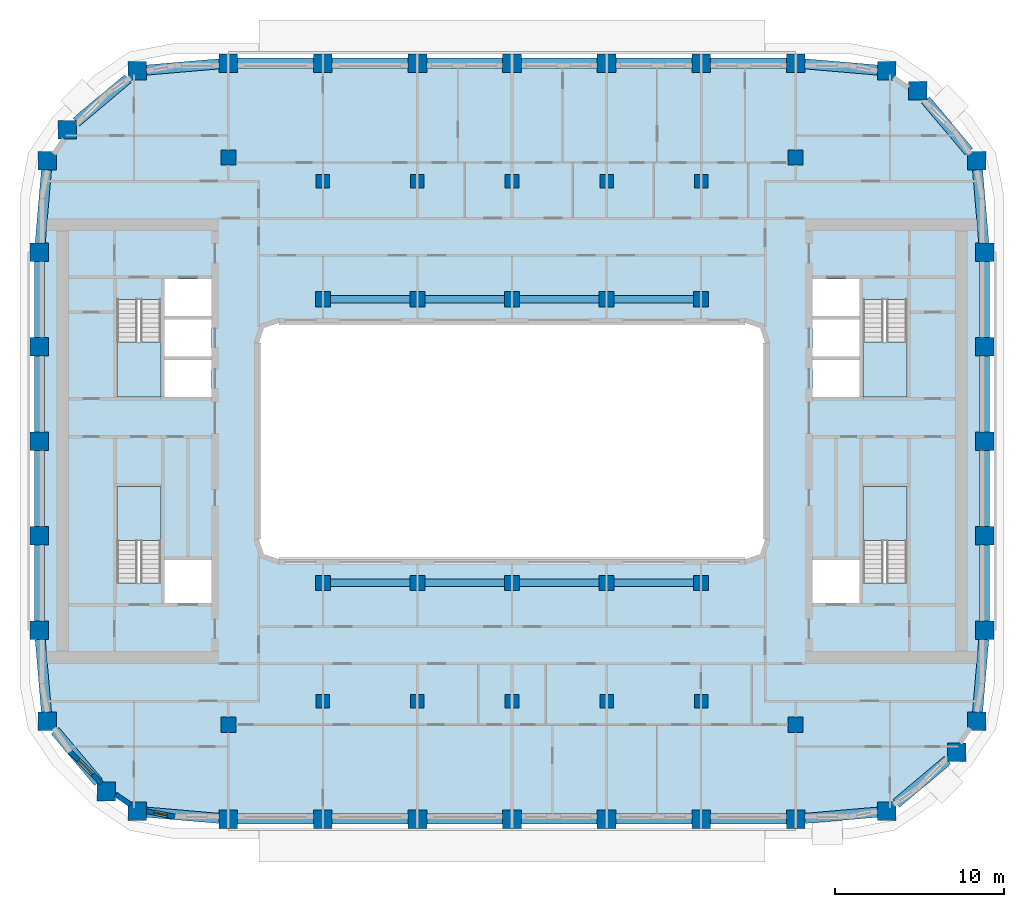
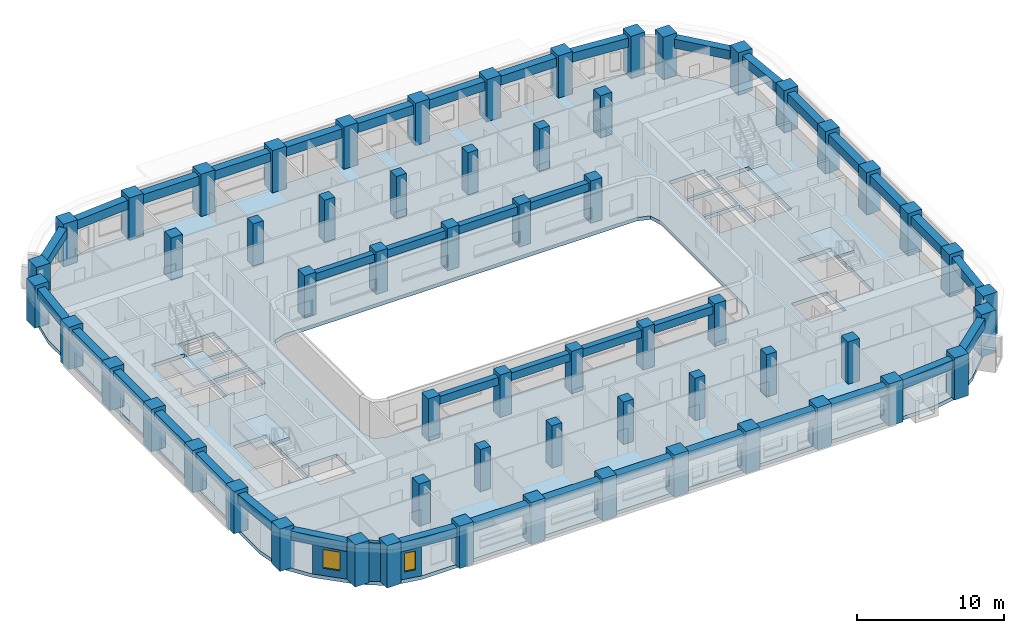
# One storey, part 1 of 22: 60 columns, 40 beams, 5 slabs, 3 walls, 2 windows, 2 openings, 4 elements without a shape of their own.
"""IFC4 building model written with IfcOpenShell, lengths in metres."""

from ifc_helpers import new_model, si_unit, direction, frame, frame_2d, origin, origin_2d, place, context, subcontext, project, spatial, polyline, rectangle, outline, extrude, material, layer, layer_set, material_profile, profile_set, type_object, element, fill, aggregate, save


model = new_model("IFC4")

# Units and contexts
model_context = context("Model", 3, precision=1e-05, world=origin(), true_north=direction((0.0, 1.0)))
body_context = subcontext(model_context, "Body", "Model", "MODEL_VIEW")
ifc_project = project(units=[si_unit("LENGTHUNIT", "METRE"), si_unit("AREAUNIT", "SQUARE_METRE"), si_unit("VOLUMEUNIT", "CUBIC_METRE"), si_unit("PLANEANGLEUNIT", "RADIAN"), si_unit("MASSUNIT", "GRAM", prefix="KILO")], contexts=[model_context])

# Site, building, storey
site_placement = place(None, origin())
site = spatial("IfcSite", under=ifc_project, at=site_placement, CompositionType="ELEMENT")
building_placement = place(site_placement, origin())
building = spatial("IfcBuilding", under=site, at=building_placement, Name="Kiln Ring Residences", CompositionType="ELEMENT")
storey_placement = place(building_placement, frame((0.0, 0.0, 139.60009765625)))
storey = spatial("IfcBuildingStorey", under=building, at=storey_placement, Name="L35", CompositionType="ELEMENT", Elevation=139.60009765625)

# Columns
ifc_material_1 = material(Name="Concrete C70/85", Category="concrete")
ifc_material_profile_1 = material_profile(ifc_material_1, rectangle(XDim=0.800048828125, YDim=0.800048828125, at=origin_2d()), Name="RC800x800")
ifc_profile_set_1 = profile_set([ifc_material_profile_1], Name="Concrete C70/85")
column_type_1 = type_object("IfcColumnType", Name="Corridor column RC800x800 C70/85", PredefinedType="COLUMN", material=ifc_profile_set_1)
for number, where, z_axis, x_axis, name in (
    (1, (-11.199951171875, 15.39990234375, 0.0), (0.0, 0.0, 1.0), (1.0, 0.0, 0.0), "Corridor column L35 1"),
    (2, (-5.60009765625, 15.39990234375, 0.0), (0.0, 0.0, 1.0), (1.0, 0.0, 0.0), "Corridor column L35 2"),
    (3, (0.0, 15.39990234375, 0.0), (0.0, 0.0, 1.0), (1.0, 0.0, 0.0), "Corridor column L35 3"),
    (4, (5.60009765625, 15.39990234375, 0.0), (0.0, 0.0, 1.0), (1.0, 0.0, 0.0), "Corridor column L35 4"),
    (5, (11.199951171875, 15.39990234375, 0.0), (0.0, 0.0, 1.0), (1.0, 0.0, 0.0), "Corridor column L35 5"),
    (6, (-11.199951171875, -15.39990234375, 0.0), (0.0, 0.0, 1.0), (1.0, 0.0, 0.0), "Corridor column L35 6"),
    (7, (-5.60009765625, -15.39990234375, 0.0), (0.0, 0.0, 1.0), (1.0, 0.0, 0.0), "Corridor column L35 7"),
    (8, (0.0, -15.39990234375, 0.0), (0.0, 0.0, 1.0), (1.0, 0.0, 0.0), "Corridor column L35 8"),
    (9, (5.60009765625, -15.39990234375, 0.0), (0.0, 0.0, 1.0), (1.0, 0.0, 0.0), "Corridor column L35 9"),
    (10, (11.199951171875, -15.39990234375, 0.0), (0.0, 0.0, 1.0), (1.0, 0.0, 0.0), "Corridor column L35 10"),
):
    element("IfcColumn", number, at=place(storey_placement, frame(where, z_axis=z_axis, x_axis=x_axis)), inside=storey, type_object=column_type_1, Name=name, PredefinedType="COLUMN", context=body_context, shape_type="SweptSolid", body=[
        extrude(rectangle(XDim=0.800048828125, YDim=0.800048828125, at=origin_2d()), origin(), (0.0, 0.0, 1.0), 3.5),
    ])
ifc_material_2 = material(Name="Concrete C70/85", Category="concrete")
ifc_material_profile_2 = material_profile(ifc_material_2, rectangle(XDim=1.10009765625, YDim=1.10009765625, at=origin_2d()), Name="RC1100x1100")
ifc_profile_set_2 = profile_set([ifc_material_profile_2], Name="Concrete C70/85")
column_type_2 = type_object("IfcColumnType", Name="Perimeter column RC1100x1100 C70/85", PredefinedType="COLUMN", material=ifc_profile_set_2)
for number, where, z_axis, x_axis, name in (
    (11, (-22.208740234375, -21.93798828125, 0.0), (0.0, 0.0, 1.0), (1.0, 0.0, 0.0), "Perimeter column L35 1"),
    (12, (-16.800048828125, -22.39990234375, 0.0), (0.0, 0.0, 1.0), (1.0, 0.0, 0.0), "Perimeter column L35 2"),
    (13, (-11.199951171875, -22.39990234375, 0.0), (0.0, 0.0, 1.0), (1.0, 0.0, 0.0), "Perimeter column L35 3"),
    (14, (-5.60009765625, -22.39990234375, 0.0), (0.0, 0.0, 1.0), (1.0, 0.0, 0.0), "Perimeter column L35 4"),
    (15, (0.0, -22.39990234375, 0.0), (0.0, 0.0, 1.0), (1.0, 0.0, 0.0), "Perimeter column L35 5"),
    (16, (5.60009765625, -22.39990234375, 0.0), (0.0, 0.0, 1.0), (1.0, 0.0, 0.0), "Perimeter column L35 6"),
    (17, (11.199951171875, -22.39990234375, 0.0), (0.0, 0.0, 1.0), (1.0, 0.0, 0.0), "Perimeter column L35 7"),
    (18, (16.800048828125, -22.39990234375, 0.0), (0.0, 0.0, 1.0), (1.0, 0.0, 0.0), "Perimeter column L35 8"),
    (19, (22.208740234375, -21.93798828125, 0.0), (0.0, 0.0, 1.0), (1.0, 0.0, 0.0), "Perimeter column L35 9"),
    (20, (26.35986328125, -18.440185546875, 0.0), (0.0, 0.0, 1.0), (1.0, 0.0, 0.0), "Perimeter column L35 10"),
    (21, (27.5380859375, -16.608642578125, 0.0), (0.0, 0.0, 1.0), (1.0, 0.0, 0.0), "Perimeter column L35 11"),
    (22, (28.0, -11.199951171875, 0.0), (0.0, 0.0, 1.0), (1.0, 0.0, 0.0), "Perimeter column L35 12"),
    (23, (28.0, -5.60009765625, 0.0), (0.0, 0.0, 1.0), (1.0, 0.0, 0.0), "Perimeter column L35 13"),
    (24, (28.0, 0.0, 0.0), (0.0, 0.0, 1.0), (1.0, 0.0, 0.0), "Perimeter column L35 14"),
    (25, (28.0, 5.60009765625, 0.0), (0.0, 0.0, 1.0), (1.0, 0.0, 0.0), "Perimeter column L35 15"),
    (26, (28.0, 11.199951171875, 0.0), (0.0, 0.0, 1.0), (1.0, 0.0, 0.0), "Perimeter column L35 16"),
    (27, (27.5380859375, 16.608642578125, 0.0), (0.0, 0.0, 1.0), (1.0, 0.0, 0.0), "Perimeter column L35 17"),
    (28, (24.040283203125, 20.759765625, 0.0), (0.0, 0.0, 1.0), (1.0, 0.0, 0.0), "Perimeter column L35 18"),
    (29, (22.208740234375, 21.93798828125, 0.0), (0.0, 0.0, 1.0), (1.0, 0.0, 0.0), "Perimeter column L35 19"),
    (30, (16.800048828125, 22.39990234375, 0.0), (0.0, 0.0, 1.0), (1.0, 0.0, 0.0), "Perimeter column L35 20"),
    (31, (11.199951171875, 22.39990234375, 0.0), (0.0, 0.0, 1.0), (1.0, 0.0, 0.0), "Perimeter column L35 21"),
    (32, (5.60009765625, 22.39990234375, 0.0), (0.0, 0.0, 1.0), (1.0, 0.0, 0.0), "Perimeter column L35 22"),
    (33, (0.0, 22.39990234375, 0.0), (0.0, 0.0, 1.0), (1.0, 0.0, 0.0), "Perimeter column L35 23"),
    (34, (-5.60009765625, 22.39990234375, 0.0), (0.0, 0.0, 1.0), (1.0, 0.0, 0.0), "Perimeter column L35 24"),
    (35, (-11.199951171875, 22.39990234375, 0.0), (0.0, 0.0, 1.0), (1.0, 0.0, 0.0), "Perimeter column L35 25"),
    (36, (-16.800048828125, 22.39990234375, 0.0), (0.0, 0.0, 1.0), (1.0, 0.0, 0.0), "Perimeter column L35 26"),
    (37, (-22.208740234375, 21.93798828125, 0.0), (0.0, 0.0, 1.0), (1.0, 0.0, 0.0), "Perimeter column L35 27"),
    (38, (-26.35986328125, 18.440185546875, 0.0), (0.0, 0.0, 1.0), (1.0, 0.0, 0.0), "Perimeter column L35 28"),
    (39, (-27.5380859375, 16.608642578125, 0.0), (0.0, 0.0, 1.0), (1.0, 0.0, 0.0), "Perimeter column L35 29"),
    (40, (-28.0, 11.199951171875, 0.0), (0.0, 0.0, 1.0), (1.0, 0.0, 0.0), "Perimeter column L35 30"),
    (41, (-28.0, 5.60009765625, 0.0), (0.0, 0.0, 1.0), (1.0, 0.0, 0.0), "Perimeter column L35 31"),
    (42, (-28.0, 0.0, 0.0), (0.0, 0.0, 1.0), (1.0, 0.0, 0.0), "Perimeter column L35 32"),
    (43, (-28.0, -5.60009765625, 0.0), (0.0, 0.0, 1.0), (1.0, 0.0, 0.0), "Perimeter column L35 33"),
    (44, (-28.0, -11.199951171875, 0.0), (0.0, 0.0, 1.0), (1.0, 0.0, 0.0), "Perimeter column L35 34"),
    (45, (-27.5380859375, -16.608642578125, 0.0), (0.0, 0.0, 1.0), (1.0, 0.0, 0.0), "Perimeter column L35 35"),
    (46, (-24.040283203125, -20.759765625, 0.0), (0.0, 0.0, 1.0), (1.0, 0.0, 0.0), "Perimeter column L35 36"),
):
    element("IfcColumn", number, at=place(storey_placement, frame(where, z_axis=z_axis, x_axis=x_axis)), inside=storey, type_object=column_type_2, Name=name, PredefinedType="COLUMN", context=body_context, shape_type="SweptSolid", body=[
        extrude(rectangle(XDim=1.10009765625, YDim=1.10009765625, at=origin_2d()), origin(), (0.0, 0.0, 1.0), 3.5),
    ])
ifc_material_3 = material(Name="Concrete C70/85", Category="concrete")
ifc_material_profile_3 = material_profile(ifc_material_3, rectangle(XDim=0.89990234375, YDim=0.89990234375, at=origin_2d()), Name="RC900x900")
ifc_profile_set_3 = profile_set([ifc_material_profile_3], Name="Concrete C70/85")
column_type_3 = type_object("IfcColumnType", Name="Ring column RC900x900 C70/85", PredefinedType="COLUMN", material=ifc_profile_set_3)
for number, where, z_axis, x_axis, name in (
    (47, (-16.800048828125, -16.800048828125, 0.0), (0.0, 0.0, 1.0), (1.0, 0.0, 0.0), "Ring column L35 1"),
    (48, (-16.800048828125, 16.800048828125, 0.0), (0.0, 0.0, 1.0), (1.0, 0.0, 0.0), "Ring column L35 2"),
    (49, (-11.199951171875, -8.39990234375, 0.0), (0.0, 0.0, 1.0), (1.0, 0.0, 0.0), "Ring column L35 3"),
    (50, (-11.199951171875, 8.39990234375, 0.0), (0.0, 0.0, 1.0), (1.0, 0.0, 0.0), "Ring column L35 4"),
    (51, (-5.60009765625, -8.39990234375, 0.0), (0.0, 0.0, 1.0), (1.0, 0.0, 0.0), "Ring column L35 5"),
    (52, (-5.60009765625, 8.39990234375, 0.0), (0.0, 0.0, 1.0), (1.0, 0.0, 0.0), "Ring column L35 6"),
    (53, (0.0, -8.39990234375, 0.0), (0.0, 0.0, 1.0), (1.0, 0.0, 0.0), "Ring column L35 7"),
    (54, (0.0, 8.39990234375, 0.0), (0.0, 0.0, 1.0), (1.0, 0.0, 0.0), "Ring column L35 8"),
    (55, (5.60009765625, -8.39990234375, 0.0), (0.0, 0.0, 1.0), (1.0, 0.0, 0.0), "Ring column L35 9"),
    (56, (5.60009765625, 8.39990234375, 0.0), (0.0, 0.0, 1.0), (1.0, 0.0, 0.0), "Ring column L35 10"),
    (57, (11.199951171875, -8.39990234375, 0.0), (0.0, 0.0, 1.0), (1.0, 0.0, 0.0), "Ring column L35 11"),
    (58, (11.199951171875, 8.39990234375, 0.0), (0.0, 0.0, 1.0), (1.0, 0.0, 0.0), "Ring column L35 12"),
    (59, (16.800048828125, -16.800048828125, 0.0), (0.0, 0.0, 1.0), (1.0, 0.0, 0.0), "Ring column L35 13"),
    (60, (16.800048828125, 16.800048828125, 0.0), (0.0, 0.0, 1.0), (1.0, 0.0, 0.0), "Ring column L35 14"),
):
    element("IfcColumn", number, at=place(storey_placement, frame(where, z_axis=z_axis, x_axis=x_axis)), inside=storey, type_object=column_type_3, Name=name, PredefinedType="COLUMN", context=body_context, shape_type="SweptSolid", body=[
        extrude(rectangle(XDim=0.89990234375, YDim=0.89990234375, at=origin_2d()), origin(), (0.0, 0.0, 1.0), 3.5),
    ])

# Beams
ifc_material_4 = material(Name="Concrete C50/60", Category="concrete")
ifc_material_profile_4 = material_profile(ifc_material_4, rectangle(XDim=0.449951171875, YDim=0.64990234375, at=origin_2d()), Name="RC450x650")
ifc_profile_set_4 = profile_set([ifc_material_profile_4], Name="Concrete C50/60")
beam_type_1 = type_object("IfcBeamType", Name="Ring beam RC450x650 C50/60", PredefinedType="BEAM", material=ifc_profile_set_4)
for number, where, z_axis, x_axis, name in (
    (61, (-10.75, -8.39990234375, 2.875), (1.0, 0.0, 0.0), (0.0, 1.0, 0.0), "Ring beam L35 1"),
    (62, (-5.14990234375, -8.39990234375, 2.875), (1.0, 0.0, 0.0), (0.0, 1.0, 0.0), "Ring beam L35 2"),
    (63, (0.449951171875, -8.39990234375, 2.875), (1.0, 0.0, 0.0), (0.0, 1.0, 0.0), "Ring beam L35 3"),
    (64, (6.050048828125, -8.39990234375, 2.875), (1.0, 0.0, 0.0), (0.0, 1.0, 0.0), "Ring beam L35 4"),
    (65, (-10.75, 8.39990234375, 2.875), (1.0, 0.0, 0.0), (0.0, 1.0, 0.0), "Ring beam L35 5"),
    (66, (-5.14990234375, 8.39990234375, 2.875), (1.0, 0.0, 0.0), (0.0, 1.0, 0.0), "Ring beam L35 6"),
    (67, (0.449951171875, 8.39990234375, 2.875), (1.0, 0.0, 0.0), (0.0, 1.0, 0.0), "Ring beam L35 7"),
    (68, (6.050048828125, 8.39990234375, 2.875), (1.0, 0.0, 0.0), (0.0, 1.0, 0.0), "Ring beam L35 8"),
):
    element("IfcBeam", number, at=place(storey_placement, frame(where, z_axis=z_axis, x_axis=x_axis)), inside=storey, type_object=beam_type_1, Name=name, PredefinedType="BEAM", context=body_context, shape_type="SweptSolid", body=[
        extrude(rectangle(XDim=0.449951171875, YDim=0.64990234375, at=origin_2d()), origin(), (0.0, 0.0, 1.0), 4.699951171875),
    ])
ifc_material_5 = material(Name="Concrete C50/60", Category="concrete")
ifc_material_profile_5 = material_profile(ifc_material_5, rectangle(XDim=0.60009765625, YDim=0.75, at=origin_2d()), Name="RC600x750")
ifc_profile_set_5 = profile_set([ifc_material_profile_5], Name="Concrete C50/60")
beam_type_2 = type_object("IfcBeamType", Name="Spandrel beam RC600x750 C50/60", PredefinedType="SPANDREL", material=ifc_profile_set_5)
beam_1_placement = place(storey_placement, frame((-21.65869140625, -21.985107421875, 2.824951171875), z_axis=(0.996373912127, -0.085082473117, 0.0), x_axis=(0.085082473117, 0.996373912127, 0.0)))
element("IfcBeam", 69, at=beam_1_placement, inside=storey, type_object=beam_type_2, Name="Spandrel beam L35 1", PredefinedType="SPANDREL", context=body_context, shape_type="SweptSolid", body=[
    extrude(rectangle(XDim=0.60009765625, YDim=0.75, at=origin_2d()), origin(), (0.0, 0.0, 1.0), 4.32421875),
])
for number, where, z_axis, x_axis, name in (
    (70, (-16.25, -22.39990234375, 2.824951171875), (1.0, 0.0, 0.0), (0.0, 1.0, 0.0), "Spandrel beam L35 2"),
    (71, (-10.64990234375, -22.39990234375, 2.824951171875), (1.0, 0.0, 0.0), (0.0, 1.0, 0.0), "Spandrel beam L35 3"),
    (72, (-5.050048828125, -22.39990234375, 2.824951171875), (1.0, 0.0, 0.0), (0.0, 1.0, 0.0), "Spandrel beam L35 4"),
    (73, (0.550048828125, -22.39990234375, 2.824951171875), (1.0, 0.0, 0.0), (0.0, 1.0, 0.0), "Spandrel beam L35 5"),
    (74, (6.14990234375, -22.39990234375, 2.824951171875), (1.0, 0.0, 0.0), (0.0, 1.0, 0.0), "Spandrel beam L35 6"),
    (75, (11.75, -22.39990234375, 2.824951171875), (1.0, 0.0, 0.0), (0.0, 1.0, 0.0), "Spandrel beam L35 7"),
):
    element("IfcBeam", number, at=place(storey_placement, frame(where, z_axis=z_axis, x_axis=x_axis)), inside=storey, type_object=beam_type_2, Name=name, PredefinedType="SPANDREL", context=body_context, shape_type="SweptSolid", body=[
        extrude(rectangle(XDim=0.60009765625, YDim=0.75, at=origin_2d()), origin(), (0.0, 0.0, 1.0), 4.5),
    ])
beam_2_placement = place(storey_placement, frame((17.35009765625, -22.35302734375, 2.824951171875), z_axis=(0.996373912127, 0.085082473117, 0.0), x_axis=(-0.085082473117, 0.996373912127, 0.0)))
element("IfcBeam", 76, at=beam_2_placement, inside=storey, type_object=beam_type_2, Name="Spandrel beam L35 8", PredefinedType="SPANDREL", context=body_context, shape_type="SweptSolid", body=[
    extrude(rectangle(XDim=0.60009765625, YDim=0.75, at=origin_2d()), origin(), (0.0, 0.0, 1.0), 4.32421875),
])
beam_3_placement = place(storey_placement, frame((22.7587890625, -21.474609375, 2.824951171875), z_axis=(0.764693765756, 0.6443938583, 0.0), x_axis=(-0.6443938583, 0.764693765756, 0.0)))
element("IfcBeam", 77, at=beam_3_placement, inside=storey, type_object=beam_type_2, Name="Spandrel beam L35 9", PredefinedType="SPANDREL", context=body_context, shape_type="SweptSolid", body=[
    extrude(rectangle(XDim=0.60009765625, YDim=0.75, at=origin_2d()), origin(), (0.0, 0.0, 1.0), 3.98974609375),
])
beam_4_placement = place(storey_placement, frame((27.5849609375, -16.05859375, 2.824951171875), z_axis=(0.085138522188, 0.996369124391, 0.0), x_axis=(-0.996369124391, 0.085138522188, 0.0)))
element("IfcBeam", 78, at=beam_4_placement, inside=storey, type_object=beam_type_2, Name="Spandrel beam L35 10", PredefinedType="SPANDREL", context=body_context, shape_type="SweptSolid", body=[
    extrude(rectangle(XDim=0.60009765625, YDim=0.75, at=origin_2d()), origin(), (0.0, 0.0, 1.0), 4.32421875),
])
for number, where, z_axis, x_axis, name in (
    (79, (28.0, -10.64990234375, 2.824951171875), (0.0, 1.0, 0.0), (-1.0, 0.0, 0.0), "Spandrel beam L35 11"),
    (80, (28.0, -5.050048828125, 2.824951171875), (0.0, 1.0, 0.0), (-1.0, 0.0, 0.0), "Spandrel beam L35 12"),
    (81, (28.0, 0.550048828125, 2.824951171875), (0.0, 1.0, 0.0), (-1.0, 0.0, 0.0), "Spandrel beam L35 13"),
    (82, (28.0, 6.14990234375, 2.824951171875), (0.0, 1.0, 0.0), (-1.0, 0.0, 0.0), "Spandrel beam L35 14"),
):
    element("IfcBeam", number, at=place(storey_placement, frame(where, z_axis=z_axis, x_axis=x_axis)), inside=storey, type_object=beam_type_2, Name=name, PredefinedType="SPANDREL", context=body_context, shape_type="SweptSolid", body=[
        extrude(rectangle(XDim=0.60009765625, YDim=0.75, at=origin_2d()), origin(), (0.0, 0.0, 1.0), 4.5),
    ])
beam_5_placement = place(storey_placement, frame((27.953125, 11.75, 2.824951171875), z_axis=(-0.085138522188, 0.996369124391, 0.0), x_axis=(-0.996369124391, -0.085138522188, 0.0)))
element("IfcBeam", 83, at=beam_5_placement, inside=storey, type_object=beam_type_2, Name="Spandrel beam L35 15", PredefinedType="SPANDREL", context=body_context, shape_type="SweptSolid", body=[
    extrude(rectangle(XDim=0.60009765625, YDim=0.75, at=origin_2d()), origin(), (0.0, 0.0, 1.0), 4.32421875),
])
beam_6_placement = place(storey_placement, frame((27.07470703125, 17.15869140625, 2.824951171875), z_axis=(-0.6443938583, 0.764693765756, 0.0), x_axis=(-0.764693765756, -0.6443938583, 0.0)))
element("IfcBeam", 84, at=beam_6_placement, inside=storey, type_object=beam_type_2, Name="Spandrel beam L35 16", PredefinedType="SPANDREL", context=body_context, shape_type="SweptSolid", body=[
    extrude(rectangle(XDim=0.60009765625, YDim=0.75, at=origin_2d()), origin(), (0.0, 0.0, 1.0), 3.98974609375),
])
beam_7_placement = place(storey_placement, frame((21.65869140625, 21.985107421875, 2.824951171875), z_axis=(-0.996373912127, 0.085082473117, 0.0), x_axis=(-0.085082473117, -0.996373912127, 0.0)))
element("IfcBeam", 85, at=beam_7_placement, inside=storey, type_object=beam_type_2, Name="Spandrel beam L35 17", PredefinedType="SPANDREL", context=body_context, shape_type="SweptSolid", body=[
    extrude(rectangle(XDim=0.60009765625, YDim=0.75, at=origin_2d()), origin(), (0.0, 0.0, 1.0), 4.32421875),
])
for number, where, z_axis, x_axis, name in (
    (86, (16.25, 22.39990234375, 2.824951171875), (-1.0, 0.0, 0.0), (0.0, -1.0, 0.0), "Spandrel beam L35 18"),
    (87, (10.64990234375, 22.39990234375, 2.824951171875), (-1.0, 0.0, 0.0), (0.0, -1.0, 0.0), "Spandrel beam L35 19"),
    (88, (5.050048828125, 22.39990234375, 2.824951171875), (-1.0, 0.0, 0.0), (0.0, -1.0, 0.0), "Spandrel beam L35 20"),
    (89, (-0.550048828125, 22.39990234375, 2.824951171875), (-1.0, 0.0, 0.0), (0.0, -1.0, 0.0), "Spandrel beam L35 21"),
    (90, (-6.14990234375, 22.39990234375, 2.824951171875), (-1.0, 0.0, 0.0), (0.0, -1.0, 0.0), "Spandrel beam L35 22"),
    (91, (-11.75, 22.39990234375, 2.824951171875), (-1.0, 0.0, 0.0), (0.0, -1.0, 0.0), "Spandrel beam L35 23"),
):
    element("IfcBeam", number, at=place(storey_placement, frame(where, z_axis=z_axis, x_axis=x_axis)), inside=storey, type_object=beam_type_2, Name=name, PredefinedType="SPANDREL", context=body_context, shape_type="SweptSolid", body=[
        extrude(rectangle(XDim=0.60009765625, YDim=0.75, at=origin_2d()), origin(), (0.0, 0.0, 1.0), 4.5),
    ])
beam_8_placement = place(storey_placement, frame((-17.35009765625, 22.35302734375, 2.824951171875), z_axis=(-0.996373912127, -0.085082473117, 0.0), x_axis=(0.085082473117, -0.996373912127, 0.0)))
element("IfcBeam", 92, at=beam_8_placement, inside=storey, type_object=beam_type_2, Name="Spandrel beam L35 24", PredefinedType="SPANDREL", context=body_context, shape_type="SweptSolid", body=[
    extrude(rectangle(XDim=0.60009765625, YDim=0.75, at=origin_2d()), origin(), (0.0, 0.0, 1.0), 4.32421875),
])
beam_9_placement = place(storey_placement, frame((-22.7587890625, 21.474609375, 2.824951171875), z_axis=(-0.764693765756, -0.6443938583, 0.0), x_axis=(0.6443938583, -0.764693765756, 0.0)))
element("IfcBeam", 93, at=beam_9_placement, inside=storey, type_object=beam_type_2, Name="Spandrel beam L35 25", PredefinedType="SPANDREL", context=body_context, shape_type="SweptSolid", body=[
    extrude(rectangle(XDim=0.60009765625, YDim=0.75, at=origin_2d()), origin(), (0.0, 0.0, 1.0), 3.98974609375),
])
beam_10_placement = place(storey_placement, frame((-27.5849609375, 16.05859375, 2.824951171875), z_axis=(-0.085138522188, -0.996369124391, 0.0), x_axis=(0.996369124391, -0.085138522188, 0.0)))
element("IfcBeam", 94, at=beam_10_placement, inside=storey, type_object=beam_type_2, Name="Spandrel beam L35 26", PredefinedType="SPANDREL", context=body_context, shape_type="SweptSolid", body=[
    extrude(rectangle(XDim=0.60009765625, YDim=0.75, at=origin_2d()), origin(), (0.0, 0.0, 1.0), 4.32421875),
])
for number, where, z_axis, x_axis, name in (
    (95, (-28.0, 10.64990234375, 2.824951171875), (0.0, -1.0, 0.0), (1.0, 0.0, 0.0), "Spandrel beam L35 27"),
    (96, (-28.0, 5.050048828125, 2.824951171875), (0.0, -1.0, 0.0), (1.0, 0.0, 0.0), "Spandrel beam L35 28"),
    (97, (-28.0, -0.550048828125, 2.824951171875), (0.0, -1.0, 0.0), (1.0, 0.0, 0.0), "Spandrel beam L35 29"),
    (98, (-28.0, -6.14990234375, 2.824951171875), (0.0, -1.0, 0.0), (1.0, 0.0, 0.0), "Spandrel beam L35 30"),
):
    element("IfcBeam", number, at=place(storey_placement, frame(where, z_axis=z_axis, x_axis=x_axis)), inside=storey, type_object=beam_type_2, Name=name, PredefinedType="SPANDREL", context=body_context, shape_type="SweptSolid", body=[
        extrude(rectangle(XDim=0.60009765625, YDim=0.75, at=origin_2d()), origin(), (0.0, 0.0, 1.0), 4.5),
    ])
beam_11_placement = place(storey_placement, frame((-27.953125, -11.75, 2.824951171875), z_axis=(0.085138522188, -0.996369124391, 0.0), x_axis=(0.996369124391, 0.085138522188, 0.0)))
element("IfcBeam", 99, at=beam_11_placement, inside=storey, type_object=beam_type_2, Name="Spandrel beam L35 31", PredefinedType="SPANDREL", context=body_context, shape_type="SweptSolid", body=[
    extrude(rectangle(XDim=0.60009765625, YDim=0.75, at=origin_2d()), origin(), (0.0, 0.0, 1.0), 4.32421875),
])
beam_12_placement = place(storey_placement, frame((-27.07470703125, -17.15869140625, 2.824951171875), z_axis=(0.6443938583, -0.764693765756, 0.0), x_axis=(0.764693765756, 0.6443938583, 0.0)))
element("IfcBeam", 100, at=beam_12_placement, inside=storey, type_object=beam_type_2, Name="Spandrel beam L35 32", PredefinedType="SPANDREL", context=body_context, shape_type="SweptSolid", body=[
    extrude(rectangle(XDim=0.60009765625, YDim=0.75, at=origin_2d()), origin(), (0.0, 0.0, 1.0), 3.98974609375),
])

# Stair, slab
ifc_material_6 = material(Name="Concrete C40/50", Category="concrete")
stair_type = type_object("IfcStairType", Name="CORE-STAIR", PredefinedType="HALF_TURN_STAIR", material=ifc_material_6)
placement_1 = place(storey_placement, origin())
stair_1 = element("IfcStair", 101, at=placement_1, inside=storey, type_object=stair_type, Name="L35 stair W-STN", PredefinedType="HALF_TURN_STAIR")
ifc_material_7 = material(Name="Concrete C40/50", Category="concrete")
ifc_layer_1 = layer(ifc_material_7, 0.199951171875)
ifc_layer_set_1 = layer_set([ifc_layer_1], Name="CORE-STAIR-LANDING")
slab_type_1 = type_object("IfcSlabType", Name="CORE-STAIR-LANDING", PredefinedType="LANDING", material=ifc_layer_set_1)
placement_2 = place(storey_placement, frame((0.0, 0.0, 1.5498046875)))
slab_1 = element("IfcSlab", 102, at=placement_2, type_object=slab_type_1, Name="W-STN landing 1", PredefinedType="LANDING", context=body_context, shape_type="SweptSolid", body=[
    extrude(outline(polyline([(-23.39990234375, 5.8798828125), (-23.39990234375, 2.60009765625), (-20.800048828125, 2.60009765625), (-20.800048828125, 5.8798828125), (-23.39990234375, 5.8798828125)])), origin(), (0.0, 0.0, 1.0), 0.2001953125),
])
aggregate(stair_1, [slab_1])

stair_2 = element("IfcStair", 103, at=placement_1, inside=storey, type_object=stair_type, Name="L35 stair W-STS", PredefinedType="HALF_TURN_STAIR")
slab_2 = element("IfcSlab", 104, at=placement_2, type_object=slab_type_1, Name="W-STS landing 1", PredefinedType="LANDING", context=body_context, shape_type="SweptSolid", body=[
    extrude(outline(polyline([(-20.800048828125, -5.8798828125), (-20.800048828125, -2.699951171875), (-23.39990234375, -2.699951171875), (-23.39990234375, -5.8798828125), (-20.800048828125, -5.8798828125)])), origin(), (0.0, 0.0, 1.0), 0.2001953125),
])
aggregate(stair_2, [slab_2])

stair_3 = element("IfcStair", 105, at=placement_1, inside=storey, type_object=stair_type, Name="L35 stair E-STN", PredefinedType="HALF_TURN_STAIR")
slab_3 = element("IfcSlab", 106, at=placement_2, type_object=slab_type_1, Name="E-STN landing 1", PredefinedType="LANDING", context=body_context, shape_type="SweptSolid", body=[
    extrude(outline(polyline([(20.800048828125, 5.8798828125), (20.800048828125, 2.60009765625), (23.39990234375, 2.60009765625), (23.39990234375, 5.8798828125), (20.800048828125, 5.8798828125)])), origin(), (0.0, 0.0, 1.0), 0.2001953125),
])
aggregate(stair_3, [slab_3])

stair_4 = element("IfcStair", 107, at=placement_1, inside=storey, type_object=stair_type, Name="L35 stair E-STS", PredefinedType="HALF_TURN_STAIR")
slab_4 = element("IfcSlab", 108, at=placement_2, type_object=slab_type_1, Name="E-STS landing 1", PredefinedType="LANDING", context=body_context, shape_type="SweptSolid", body=[
    extrude(outline(polyline([(23.39990234375, -5.8798828125), (23.39990234375, -2.699951171875), (20.800048828125, -2.699951171875), (20.800048828125, -5.8798828125), (23.39990234375, -5.8798828125)])), origin(), (0.0, 0.0, 1.0), 0.2001953125),
])
aggregate(stair_4, [slab_4])

# Slab
ifc_material_8 = material(Name="Concrete C40/50", Category="concrete")
ifc_layer_2 = layer(ifc_material_8, 0.300048828125)
ifc_layer_set_2 = layer_set([ifc_layer_2], Name="Floor slab 300")
slab_type_2 = type_object("IfcSlabType", Name="Floor slab 300", PredefinedType="FLOOR", material=ifc_layer_set_2)
slab_5_placement = place(storey_placement, frame((0.0, 0.0, -0.300048828125)))
element("IfcSlab", 109, at=slab_5_placement, inside=storey, type_object=slab_type_2, Name="Floor slab L35 1", PredefinedType="FLOOR", context=body_context, shape_type="SweptSolid", body=[
    extrude(outline(polyline([(-26.302978515625, -18.4970703125), (-24.09716796875, -20.702880859375), (-22.224365234375, -21.975830078125), (-20.0, -22.39990234375), (20.0, -22.39990234375), (22.224365234375, -21.975830078125), (24.09716796875, -20.702880859375), (26.302978515625, -18.4970703125), (27.57568359375, -16.624267578125), (28.0, -14.39990234375), (28.0, 14.39990234375), (27.57568359375, 16.624267578125), (26.302978515625, 18.4970703125), (24.09716796875, 20.702880859375), (22.224365234375, 21.975830078125), (20.0, 22.39990234375), (-20.0, 22.39990234375), (-22.224365234375, 21.975830078125), (-24.09716796875, 20.702880859375), (-26.302978515625, 18.4970703125), (-27.57568359375, 16.624267578125), (-28.0, 14.39990234375), (-28.0, -14.39990234375), (-27.57568359375, -16.624267578125), (-26.302978515625, -18.4970703125)]), holes=[polyline([(-14.699951171875, -6.699951171875), (-15.0, -5.800048828125), (-15.0, 5.800048828125), (-14.699951171875, 6.699951171875), (-13.800048828125, 7.0), (13.800048828125, 7.0), (14.699951171875, 6.699951171875), (15.0, 5.800048828125), (15.0, -5.800048828125), (14.699951171875, -6.699951171875), (13.800048828125, -7.0), (-13.800048828125, -7.0), (-14.699951171875, -6.699951171875)]), polyline([(20.800048828125, -8.39794921875), (20.800048828125, -2.699951171875), (23.39990234375, -2.699951171875), (23.39990234375, -8.39794921875), (20.800048828125, -8.39794921875)]), polyline([(23.39990234375, 2.60009765625), (20.800048828125, 2.60009765625), (20.800048828125, 8.39794921875), (23.39990234375, 8.39794921875), (23.39990234375, 2.60009765625)]), polyline([(17.800048828125, 2.60009765625), (17.800048828125, 4.800048828125), (20.60009765625, 4.800048828125), (20.60009765625, 2.60009765625), (17.800048828125, 2.60009765625)]), polyline([(17.800048828125, 5.0), (17.800048828125, 7.199951171875), (20.60009765625, 7.199951171875), (20.60009765625, 5.0), (17.800048828125, 5.0)]), polyline([(17.800048828125, 7.39990234375), (17.800048828125, 9.60009765625), (20.60009765625, 9.60009765625), (20.60009765625, 7.39990234375), (17.800048828125, 7.39990234375)]), polyline([(20.60009765625, -9.60009765625), (17.800048828125, -9.60009765625), (17.800048828125, -7.050048828125), (20.60009765625, -7.050048828125), (20.60009765625, -9.60009765625)]), polyline([(-17.800048828125, -7.050048828125), (-17.800048828125, -9.60009765625), (-20.60009765625, -9.60009765625), (-20.60009765625, -7.050048828125), (-17.800048828125, -7.050048828125)]), polyline([(-17.800048828125, 2.60009765625), (-20.60009765625, 2.60009765625), (-20.60009765625, 4.800048828125), (-17.800048828125, 4.800048828125), (-17.800048828125, 2.60009765625)]), polyline([(-17.800048828125, 5.0), (-20.60009765625, 5.0), (-20.60009765625, 7.199951171875), (-17.800048828125, 7.199951171875), (-17.800048828125, 5.0)]), polyline([(-17.800048828125, 7.39990234375), (-20.60009765625, 7.39990234375), (-20.60009765625, 9.60009765625), (-17.800048828125, 9.60009765625), (-17.800048828125, 7.39990234375)]), polyline([(-20.800048828125, -8.39794921875), (-23.39990234375, -8.39794921875), (-23.39990234375, -2.699951171875), (-20.800048828125, -2.699951171875), (-20.800048828125, -8.39794921875)]), polyline([(-20.800048828125, 8.39794921875), (-20.800048828125, 2.60009765625), (-23.39990234375, 2.60009765625), (-23.39990234375, 8.39794921875), (-20.800048828125, 8.39794921875)])]), origin(), (0.0, 0.0, 1.0), 0.300048828125),
])

# Wall, opening, window
ifc_material_9 = material(Name="Brick masonry, dark clay brick", Category="masonry")
ifc_layer_3 = layer(ifc_material_9, 0.300048828125)
ifc_layer_set_3 = layer_set([ifc_layer_3], Name="EW-300 BRICK WALL")
wall_type = type_object("IfcWallType", Name="EW-300 BRICK WALL", PredefinedType="SOLIDWALL", material=ifc_layer_set_3)
wall_1_placement = place(storey_placement, frame((-26.19677734375, -18.390869140625, 0.0), z_axis=(0.0, 0.0, 1.0), x_axis=(0.707060717099, -0.707152842274, 0.0)))
wall_1 = element("IfcWall", 110, at=wall_1_placement, inside=storey, type_object=wall_type, Name="Facade wall L35 1", PredefinedType="SOLIDWALL", context=body_context, shape_type="SweptSolid", body=[
    extrude(rectangle(XDim=2.650146484375, YDim=0.300048828125, at=frame_2d((1.3251953125, 0.0))), origin(), (0.0, 0.0, 1.0), 2.449951171875),
])
opening_1_placement = place(wall_1_placement, frame((0.72509765625, 0.0, 0.60009765625)))
opening_1 = element("IfcOpeningElement", 111, at=opening_1_placement, cuts=wall_1, Name="Opening W1", PredefinedType="OPENING", context=body_context, shape_type="SweptSolid", body=[
    extrude(rectangle(XDim=1.199951171875, YDim=1.550048828125, at=frame_2d((0.60009765625, 0.77490234375))), frame((0.0, 0.159912109375, 0.0), z_axis=(0.0, -1.0, 0.0), x_axis=(1.0, 0.0, 0.0)), (0.0, 0.0, 1.0), 0.320068359375),
])
ifc_material_10 = material(Name="Aluminium frame with double glazing", Category="aluminium")
window_type_1 = type_object("IfcWindowType", Name="WINDOW 1200 x 1550", PartitioningType="SINGLE_PANEL", PredefinedType="WINDOW", material=ifc_material_10)
window_1_placement = place(opening_1_placement, origin())
window_1 = element("IfcWindow", 112, at=window_1_placement, inside=storey, type_object=window_type_1, Name="Window L35 1", OverallHeight=1.550048828125, OverallWidth=1.199951171875, PartitioningType="SINGLE_PANEL", PredefinedType="WINDOW", context=body_context, shape_type="SweptSolid", body=[
    extrude(rectangle(XDim=1.199951171875, YDim=1.550048828125, at=frame_2d((0.60009765625, 0.77490234375))), frame((0.0, 0.030029296875, 0.0), z_axis=(0.0, -1.0, 0.0), x_axis=(1.0, 0.0, 0.0)), (0.0, 0.0, 1.0), 0.06005859375),
])
fill(opening_1, window_1)

# Wall
wall_2_placement = place(storey_placement, frame((-23.492431640625, -20.932373046875, 0.0), z_axis=(0.0, 0.0, 1.0), x_axis=(0.826993959827, -0.562210806023, 0.0)))
element("IfcWall", 113, at=wall_2_placement, inside=storey, type_object=wall_type, Name="Facade wall L35 2", PredefinedType="SOLIDWALL", context=body_context, shape_type="SweptSolid", body=[
    extrude(rectangle(XDim=1.076904296875, YDim=0.300048828125, at=frame_2d((0.53857421875, 0.0))), origin(), (0.0, 0.0, 1.0), 3.199951171875),
])

# Wall, opening, window
wall_3_placement = place(storey_placement, frame((-21.647705078125, -21.93310546875, 0.0), z_axis=(0.0, 0.0, 1.0), x_axis=(0.982297206936, -0.187329114784, 0.0)))
wall_3 = element("IfcWall", 114, at=wall_3_placement, inside=storey, type_object=wall_type, Name="Facade wall L35 3", PredefinedType="SOLIDWALL", context=body_context, shape_type="SweptSolid", body=[
    extrude(rectangle(XDim=1.7060546875, YDim=0.300048828125, at=frame_2d((0.85302734375, 0.0))), origin(), (0.0, 0.0, 1.0), 2.449951171875),
])
opening_2_placement = place(wall_3_placement, frame((0.453125, 0.0, 0.60009765625)))
opening_2 = element("IfcOpeningElement", 115, at=opening_2_placement, cuts=wall_3, Name="Opening W5", PredefinedType="OPENING", context=body_context, shape_type="SweptSolid", body=[
    extrude(rectangle(XDim=0.800048828125, YDim=1.550048828125, at=frame_2d((0.39990234375, 0.77490234375))), frame((0.0, 0.159912109375, 0.0), z_axis=(0.0, -1.0, 0.0), x_axis=(1.0, 0.0, 0.0)), (0.0, 0.0, 1.0), 0.320068359375),
])
ifc_material_11 = material(Name="Aluminium frame with double glazing", Category="aluminium")
window_type_2 = type_object("IfcWindowType", Name="WINDOW 800 x 1550", PartitioningType="SINGLE_PANEL", PredefinedType="WINDOW", material=ifc_material_11)
window_2_placement = place(opening_2_placement, origin())
window_2 = element("IfcWindow", 116, at=window_2_placement, inside=storey, type_object=window_type_2, Name="Window L35 2", OverallHeight=1.550048828125, OverallWidth=0.800048828125, PartitioningType="SINGLE_PANEL", PredefinedType="WINDOW", context=body_context, shape_type="SweptSolid", body=[
    extrude(rectangle(XDim=0.800048828125, YDim=1.550048828125, at=frame_2d((0.39990234375, 0.77490234375))), frame((0.0, 0.030029296875, 0.0), z_axis=(0.0, -1.0, 0.0), x_axis=(1.0, 0.0, 0.0)), (0.0, 0.0, 1.0), 0.06005859375),
])
fill(opening_2, window_2)

save(model, "model.ifc")
